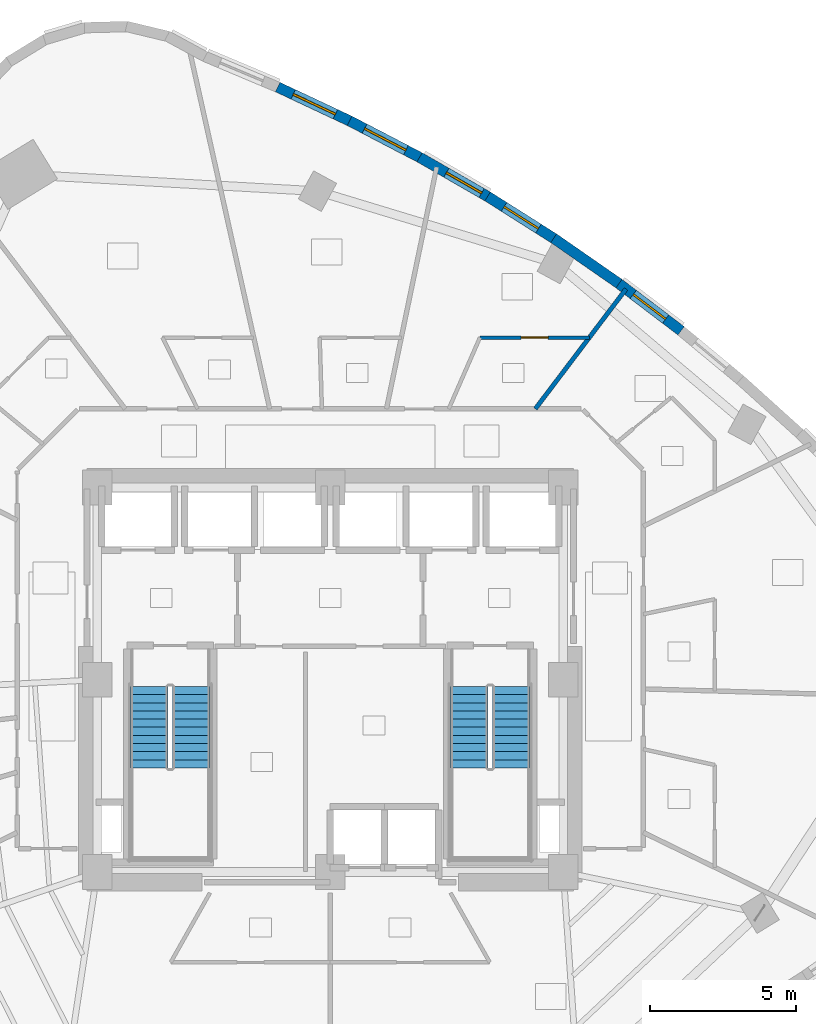
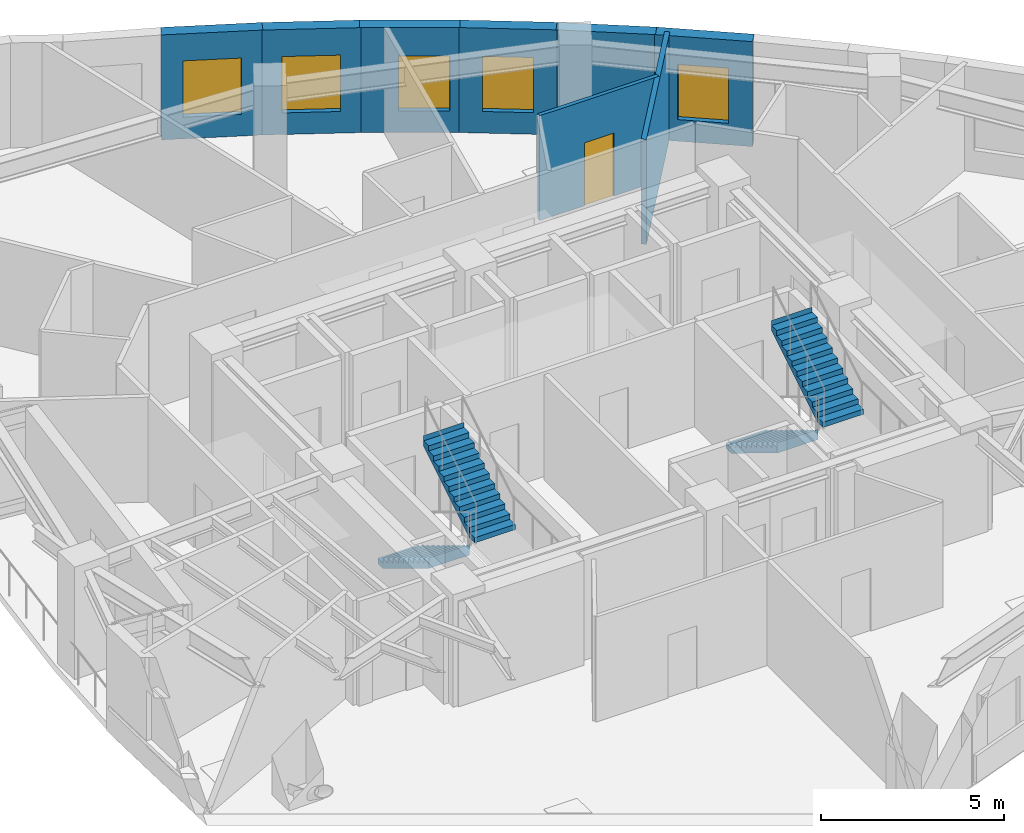
# One storey, part 9 of 12: 8 walls, 5 windows, 4 stair flights, 1 door, 6 openings, 2 elements without a shape of their own.
"""IFC4 building model written with IfcOpenShell, lengths in metres."""

import ifcopenshell
import ifcopenshell.guid

model = None  # the IFC model being written
_history = None  # IfcOwnerHistory: only IFC2X3 demands one
_inside = {}  # id of a spatial element -> (the spatial element, [elements in it])
_under = {}  # id of a project, library or spatial element -> (it, [spatial elements below it])
_declared = {}  # id of a project -> (the project, [libraries it declares])
_typed = {}  # id of a type object -> (the type object, [elements of that type])
_made_of = {}  # id of a material, layer set ... -> (it, [elements and type objects made of it])


def new_model(schema):
    """Start an empty IFC model of exactly this schema.

    Asked for "IFC4X3", IfcOpenShell would pick the latest addendum, in which some entities
    have other attributes; the version numbers below select the first issue.
    IFC2X3 requires an IfcOwnerHistory on every rooted entity: one is made here for all.
    """
    global model, _history
    if schema == "IFC4X3":
        model = ifcopenshell.file(schema_version=(4, 3, 0, 0))
    else:
        model = ifcopenshell.file(schema=schema)
    _inside.clear()
    _under.clear()
    _declared.clear()
    _typed.clear()
    _made_of.clear()
    _history = None
    if model.schema == "IFC2X3":
        org = make("IfcOrganization", Name="unknown")
        user = make(
            "IfcPersonAndOrganization",
            ThePerson=make("IfcPerson", FamilyName="unknown"),
            TheOrganization=org,
        )
        app = make(
            "IfcApplication",
            ApplicationDeveloper=org,
            Version="unknown",
            ApplicationFullName="unknown",
            ApplicationIdentifier="unknown",
        )
        _history = make(
            "IfcOwnerHistory",
            OwningUser=user,
            OwningApplication=app,
            ChangeAction="ADDED",
            CreationDate=0,
        )
    return model


def make(cls, **values):
    """One entity of the class cls with the attributes given. An attribute that is None is left unset."""
    return model.create_entity(
        cls, **{name: value for name, value in values.items() if value is not None}
    )


def rooted(cls, **values):
    """An entity with a GlobalId (a new one), such as an element, a storey or a relation."""
    return make(cls, GlobalId=ifcopenshell.guid.new(), OwnerHistory=_history, **values)


def si_unit(unit_type, name, prefix=None):
    """IfcSIUnit, for example si_unit("LENGTHUNIT", "METRE", prefix="MILLI")."""
    return make("IfcSIUnit", UnitType=unit_type, Prefix=prefix, Name=name)


def assignment(units):
    """IfcUnitAssignment: the units of a project."""
    return None if units is None else make("IfcUnitAssignment", Units=units)


def point(xyz):
    """IfcCartesianPoint."""
    return None if xyz is None else make("IfcCartesianPoint", Coordinates=xyz)


def direction(xyz):
    """IfcDirection."""
    return None if xyz is None else make("IfcDirection", DirectionRatios=xyz)


def frame(location, z_axis=None, x_axis=None):
    """IfcAxis2Placement3D, a coordinate frame: its origin and axes. An axis left out is left unset."""
    return make(
        "IfcAxis2Placement3D",
        Location=point(location),
        Axis=direction(z_axis),
        RefDirection=direction(x_axis),
    )


def frame_2d(location, x_axis=None):
    """IfcAxis2Placement2D, a coordinate frame in the plane: its origin and x axis."""
    return make(
        "IfcAxis2Placement2D", Location=point(location), RefDirection=direction(x_axis)
    )


def origin():
    """The frame at (0, 0, 0) with its axes left unset."""
    return frame((0.0, 0.0, 0.0))


def place(relative_to, where):
    """IfcLocalPlacement: puts the frame where relative to a parent placement (None: the world)."""
    return make(
        "IfcLocalPlacement", PlacementRelTo=relative_to, RelativePlacement=where
    )


def context(
    kind, dimensions, precision=None, world=None, true_north=None, identifier=None
):
    """IfcGeometricRepresentationContext, for example the 3D "Model" context."""
    return make(
        "IfcGeometricRepresentationContext",
        ContextIdentifier=identifier,
        ContextType=kind,
        CoordinateSpaceDimension=dimensions,
        Precision=precision,
        WorldCoordinateSystem=world,
        TrueNorth=true_north,
    )


def subcontext(parent, identifier, kind, view, scale=None):
    """IfcGeometricRepresentationSubContext, for example "Body" below "Model"."""
    return make(
        "IfcGeometricRepresentationSubContext",
        ContextIdentifier=identifier,
        ContextType=kind,
        ParentContext=parent,
        TargetScale=scale,
        TargetView=view,
    )


def project(units=None, contexts=None):
    """IfcProject with its units and contexts."""
    return rooted(
        "IfcProject",
        Name="project",
        RepresentationContexts=contexts,
        UnitsInContext=assignment(units),
    )


def spatial(cls, under=None, at=None, **own):
    """A site, building, storey or space (cls), placed at a placement, below another one or the project."""
    s = rooted(cls, ObjectPlacement=at, **own)
    if under is not None:
        _under.setdefault(under.id(), (under, []))[1].append(s)
    return s


def polyline(points):
    """IfcPolyline through the points."""
    return make("IfcPolyline", Points=[point(p) for p in points])


def profile(cls, at=None, kind="AREA", **sizes):
    """A parametric profile (cls). Its sizes go by their IFC names, for example OverallWidth=200.0."""
    return make(cls, ProfileType=kind, Position=at, **sizes)


def rectangle(**sizes):
    """IfcRectangleProfileDef."""
    return profile("IfcRectangleProfileDef", **sizes)


def outline(outer, holes=None, kind="AREA"):
    """IfcArbitraryClosedProfileDef: a profile drawn as a closed curve; with holes, ...WithVoids."""
    if holes is None:
        return make("IfcArbitraryClosedProfileDef", ProfileType=kind, OuterCurve=outer)
    return make(
        "IfcArbitraryProfileDefWithVoids",
        ProfileType=kind,
        OuterCurve=outer,
        InnerCurves=holes,
    )


def extrude(swept, where, along, depth):
    """IfcExtrudedAreaSolid: the profile swept, set in the frame where, extruded along a direction by depth."""
    return make(
        "IfcExtrudedAreaSolid",
        SweptArea=swept,
        Position=where,
        ExtrudedDirection=direction(along),
        Depth=depth,
    )


def shape(context_of_items, identifier, shape_type, items):
    """IfcShapeRepresentation: the items that make up one representation, for example the "Body"."""
    return make(
        "IfcShapeRepresentation",
        ContextOfItems=context_of_items,
        RepresentationIdentifier=identifier,
        RepresentationType=shape_type,
        Items=items,
    )


def material(Name=None, Category=None):
    """IfcMaterial."""
    return make("IfcMaterial", Name=Name, Category=Category)


def layer(
    of_material, thickness, ventilated=None, Name=None, Category=None, Priority=None
):
    """IfcMaterialLayer: one layer of a wall or slab, of a material (None: an air gap)."""
    return make(
        "IfcMaterialLayer",
        Material=of_material,
        LayerThickness=thickness,
        IsVentilated=ventilated,
        Name=Name,
        Category=Category,
        Priority=Priority,
    )


def layer_set(layers, Name=None):
    """IfcMaterialLayerSet."""
    return make("IfcMaterialLayerSet", MaterialLayers=layers, LayerSetName=Name)


def made_of(thing, what):
    """Note that an element or type object is made of a material, layer set ...; save() writes the relation."""
    if what is not None:
        _made_of.setdefault(what.id(), (what, []))[1].append(thing)
    return thing


def type_object(cls, material=None, **own):
    """A type object (cls), such as IfcWallType, which elements share."""
    return made_of(rooted(cls, **own), material)


def element(
    cls,
    number,
    at=None,
    inside=None,
    cuts=None,
    type_object=None,
    material=None,
    context=None,
    identifier="Body",
    shape_type=None,
    held_by="IfcProductDefinitionShape",
    body=None,
    shapes=None,
    **own,
):
    """One element of the class cls, such as IfcWall. Its Tag is "e" and its number.

    at: its placement. inside: the storey or other place that contains it. cuts: it is an
    opening in that element (IfcRelVoidsElement). A single representation is given by context,
    identifier, shape_type and body (its items); several are given by shapes. held_by: the class
    of the entity that holds the representations. save() writes the other relations.
    """
    e = rooted(cls, Tag="e%d" % number, ObjectPlacement=at, **own)
    if body is not None:
        shapes = [shape(context, identifier, shape_type, body)]
    if shapes is not None:
        e.Representation = make(held_by, Representations=shapes)
    if inside is not None:
        _inside.setdefault(inside.id(), (inside, []))[1].append(e)
    if cuts is not None:
        rooted(
            "IfcRelVoidsElement", RelatingBuildingElement=cuts, RelatedOpeningElement=e
        )
    if type_object is not None:
        _typed.setdefault(type_object.id(), (type_object, []))[1].append(e)
    return made_of(e, material)


def fill(opening, filler):
    """IfcRelFillsElement: the door or window that sits in an opening."""
    return rooted(
        "IfcRelFillsElement",
        RelatingOpeningElement=opening,
        RelatedBuildingElement=filler,
    )


def aggregate(whole, parts):
    """IfcRelAggregates: a whole, such as a stair, and the parts it consists of."""
    return rooted("IfcRelAggregates", RelatingObject=whole, RelatedObjects=parts)


def save(model, path):
    """Write the relations noted so far, then the file.

    IfcRelAggregates (storeys below a building ...), IfcRelContainedInSpatialStructure (elements
    in a storey), IfcRelDefinesByType, IfcRelAssociatesMaterial and IfcRelDeclares: one each for
    every whole, place, type object, material and project.
    """
    for whole, parts in _under.values():
        aggregate(whole, parts)
    for where, things in _inside.values():
        rooted(
            "IfcRelContainedInSpatialStructure",
            RelatedElements=things,
            RelatingStructure=where,
        )
    for kind, things in _typed.values():
        rooted("IfcRelDefinesByType", RelatedObjects=things, RelatingType=kind)
    for what, things in _made_of.values():
        rooted("IfcRelAssociatesMaterial", RelatedObjects=things, RelatingMaterial=what)
    for by, libraries in _declared.values():
        rooted("IfcRelDeclares", RelatingContext=by, RelatedDefinitions=libraries)
    model.write(path)


model = new_model("IFC4")

# Units and contexts
model_context = context("Model", 3, precision=1e-05, world=origin(), true_north=direction((0.0, 1.0)))
body_context = subcontext(model_context, "Body", "Model", "MODEL_VIEW")
ifc_project = project(units=[si_unit("LENGTHUNIT", "METRE"), si_unit("AREAUNIT", "SQUARE_METRE"), si_unit("VOLUMEUNIT", "CUBIC_METRE"), si_unit("PLANEANGLEUNIT", "RADIAN"), si_unit("MASSUNIT", "GRAM", prefix="KILO")], contexts=[model_context])

# Site, building, storey
site_placement = place(None, origin())
site = spatial("IfcSite", under=ifc_project, at=site_placement, CompositionType="ELEMENT")
building_placement = place(site_placement, origin())
building = spatial("IfcBuilding", under=site, at=building_placement, Name="Ndelora Gate Hotel", CompositionType="ELEMENT")
storey_placement = place(building_placement, frame((0.0, 0.0, 104.75)))
storey = spatial("IfcBuildingStorey", under=building, at=storey_placement, Name="L25", CompositionType="ELEMENT", Elevation=104.75)

# Wall, opening, window
ifc_material_1 = material(Name="Clay Brick Masonry", Category="masonry")
ifc_layer_1 = layer(ifc_material_1, 0.360107421875)
ifc_layer_set_1 = layer_set([ifc_layer_1], Name="Clay Brick Masonry")
wall_type_1 = type_object("IfcWallType", Name="WL-BRICK-360", PredefinedType="SOLIDWALL", material=ifc_layer_set_1)
wall_1_placement = place(storey_placement, frame((9.87255859375, 13.631103515625, 0.0), z_axis=(0.0, 0.0, 1.0), x_axis=(0.796336225349, -0.604854210696, 0.0)))
wall_1 = element("IfcWall", 1, at=wall_1_placement, inside=storey, type_object=wall_type_1, Name="L25 Tower Brick Pier-and-Spandrel Wall TWR-52", PredefinedType="SOLIDWALL", context=body_context, shape_type="SweptSolid", body=[
    extrude(rectangle(XDim=2.729736328125, YDim=0.360107421875, at=frame_2d((1.36474609375, 0.0))), origin(), (0.0, 0.0, 1.0), 3.5),
])
opening_1_placement = place(wall_1_placement, frame((0.664794921875, 0.0, 0.719970703125)))
opening_1 = element("IfcOpeningElement", 2, at=opening_1_placement, cuts=wall_1, Name="Opening W02", PredefinedType="OPENING", context=body_context, shape_type="SweptSolid", body=[
    extrude(rectangle(XDim=1.39990234375, YDim=1.840087890625, at=frame_2d((0.699951171875, 0.919921875))), frame((0.0, 0.18994140625, 0.0), z_axis=(0.0, -1.0, 0.0), x_axis=(1.0, 0.0, 0.0)), (0.0, 0.0, 1.0), 0.380126953125),
])
ifc_material_2 = material(Name="Insulated Low-E Double Glazing in Bronze Aluminium Frame", Category="aluminium")
window_type_1 = type_object("IfcWindowType", Name="WN-DEEP-1400", PartitioningType="SINGLE_PANEL", PredefinedType="WINDOW", material=ifc_material_2)
window_1_placement = place(opening_1_placement, origin())
window_1 = element("IfcWindow", 3, at=window_1_placement, inside=storey, type_object=window_type_1, Name="L25 Deep-Set Brick-Pier Window W02", OverallHeight=1.840087890625, OverallWidth=1.39990234375, PartitioningType="SINGLE_PANEL", PredefinedType="WINDOW", context=body_context, shape_type="SweptSolid", body=[
    extrude(rectangle(XDim=1.39990234375, YDim=1.840087890625, at=frame_2d((0.699951171875, 0.919921875))), frame((0.0, 0.030029296875, 0.0), z_axis=(0.0, -1.0, 0.0), x_axis=(1.0, 0.0, 0.0)), (0.0, 0.0, 1.0), 0.06005859375),
])
fill(opening_1, window_1)

# Wall
wall_2_placement = place(storey_placement, frame((7.671142578125, 15.15869140625, 0.0), z_axis=(0.0, 0.0, 1.0), x_axis=(0.821331552378, -0.570451120665, 0.0)))
element("IfcWall", 4, at=wall_2_placement, inside=storey, type_object=wall_type_1, Name="L25 Tower Brick Pier-and-Spandrel Wall TWR-53", PredefinedType="SOLIDWALL", context=body_context, shape_type="SweptSolid", body=[
    extrude(rectangle(XDim=2.729736328125, YDim=0.360107421875, at=frame_2d((1.36474609375, 0.0))), origin(), (0.0, 0.0, 1.0), 3.5),
])

# Wall, opening, window
wall_3_placement = place(storey_placement, frame((5.40283203125, 16.59423828125, 0.0), z_axis=(0.0, 0.0, 1.0), x_axis=(0.844802931873, -0.535077570357, 0.0)))
wall_3 = element("IfcWall", 5, at=wall_3_placement, inside=storey, type_object=wall_type_1, Name="L25 Tower Brick Pier-and-Spandrel Wall TWR-54", PredefinedType="SOLIDWALL", context=body_context, shape_type="SweptSolid", body=[
    extrude(rectangle(XDim=2.734375, YDim=0.360107421875, at=frame_2d((1.3671875, 0.0))), origin(), (0.0, 0.0, 1.0), 3.5),
])
opening_2_placement = place(wall_3_placement, frame((0.667236328125, 0.0, 0.719970703125)))
opening_2 = element("IfcOpeningElement", 6, at=opening_2_placement, cuts=wall_3, Name="Opening W02", PredefinedType="OPENING", context=body_context, shape_type="SweptSolid", body=[
    extrude(rectangle(XDim=1.39990234375, YDim=1.840087890625, at=frame_2d((0.699951171875, 0.919921875))), frame((0.0, 0.18994140625, 0.0), z_axis=(0.0, -1.0, 0.0), x_axis=(1.0, 0.0, 0.0)), (0.0, 0.0, 1.0), 0.380126953125),
])
window_2_placement = place(opening_2_placement, origin())
window_2 = element("IfcWindow", 7, at=window_2_placement, inside=storey, type_object=window_type_1, Name="L25 Deep-Set Brick-Pier Window W02", OverallHeight=1.840087890625, OverallWidth=1.39990234375, PartitioningType="SINGLE_PANEL", PredefinedType="WINDOW", context=body_context, shape_type="SweptSolid", body=[
    extrude(rectangle(XDim=1.39990234375, YDim=1.840087890625, at=frame_2d((0.699951171875, 0.919921875))), frame((0.0, 0.030029296875, 0.0), z_axis=(0.0, -1.0, 0.0), x_axis=(1.0, 0.0, 0.0)), (0.0, 0.0, 1.0), 0.06005859375),
])
fill(opening_2, window_2)

wall_4_placement = place(storey_placement, frame((3.067626953125, 17.937744140625, 0.0), z_axis=(0.0, 0.0, 1.0), x_axis=(0.866601472799, -0.499000889121, 0.0)))
wall_4 = element("IfcWall", 8, at=wall_4_placement, inside=storey, type_object=wall_type_1, Name="L25 Tower Brick Pier-and-Spandrel Wall TWR-55", PredefinedType="SOLIDWALL", context=body_context, shape_type="SweptSolid", body=[
    extrude(rectangle(XDim=2.744140625, YDim=0.360107421875, at=frame_2d((1.3720703125, 0.0))), origin(), (0.0, 0.0, 1.0), 3.5),
])
opening_3_placement = place(wall_4_placement, frame((1.06005859375, 0.0, 0.719970703125)))
opening_3 = element("IfcOpeningElement", 9, at=opening_3_placement, cuts=wall_4, Name="Opening W02", PredefinedType="OPENING", context=body_context, shape_type="SweptSolid", body=[
    extrude(rectangle(XDim=1.39990234375, YDim=1.840087890625, at=frame_2d((0.699951171875, 0.919921875))), frame((0.0, 0.18994140625, 0.0), z_axis=(0.0, -1.0, 0.0), x_axis=(1.0, 0.0, 0.0)), (0.0, 0.0, 1.0), 0.380126953125),
])
window_3_placement = place(opening_3_placement, origin())
window_3 = element("IfcWindow", 10, at=window_3_placement, inside=storey, type_object=window_type_1, Name="L25 Deep-Set Brick-Pier Window W02", OverallHeight=1.840087890625, OverallWidth=1.39990234375, PartitioningType="SINGLE_PANEL", PredefinedType="WINDOW", context=body_context, shape_type="SweptSolid", body=[
    extrude(rectangle(XDim=1.39990234375, YDim=1.840087890625, at=frame_2d((0.699951171875, 0.919921875))), frame((0.0, 0.030029296875, 0.0), z_axis=(0.0, -1.0, 0.0), x_axis=(1.0, 0.0, 0.0)), (0.0, 0.0, 1.0), 0.06005859375),
])
fill(opening_3, window_3)

wall_5_placement = place(storey_placement, frame((0.66552734375, 19.18896484375, 0.0), z_axis=(0.0, 0.0, 1.0), x_axis=(0.886704748188, -0.462336121822, 0.0)))
wall_5 = element("IfcWall", 11, at=wall_5_placement, inside=storey, type_object=wall_type_1, Name="L25 Tower Brick Pier-and-Spandrel Wall TWR-56", PredefinedType="SOLIDWALL", context=body_context, shape_type="SweptSolid", body=[
    extrude(rectangle(XDim=2.758544921875, YDim=0.360107421875, at=frame_2d((1.37939453125, 0.0))), origin(), (0.0, 0.0, 1.0), 3.5),
])
opening_4_placement = place(wall_5_placement, frame((0.5791015625, 0.0, 0.719970703125)))
opening_4 = element("IfcOpeningElement", 12, at=opening_4_placement, cuts=wall_5, Name="Opening W01", PredefinedType="OPENING", context=body_context, shape_type="SweptSolid", body=[
    extrude(rectangle(XDim=1.60009765625, YDim=1.8798828125, at=frame_2d((0.800048828125, 0.93994140625))), frame((0.0, 0.18994140625, 0.0), z_axis=(0.0, -1.0, 0.0), x_axis=(1.0, 0.0, 0.0)), (0.0, 0.0, 1.0), 0.380126953125),
])
window_type_2 = type_object("IfcWindowType", Name="WN-DEEP-1600", PartitioningType="SINGLE_PANEL", PredefinedType="WINDOW", material=ifc_material_2)
window_4_placement = place(opening_4_placement, origin())
window_4 = element("IfcWindow", 13, at=window_4_placement, inside=storey, type_object=window_type_2, Name="L25 Deep-Set Brick-Pier Window W01", OverallHeight=1.8798828125, OverallWidth=1.60009765625, PartitioningType="SINGLE_PANEL", PredefinedType="WINDOW", context=body_context, shape_type="SweptSolid", body=[
    extrude(rectangle(XDim=1.60009765625, YDim=1.8798828125, at=frame_2d((0.800048828125, 0.93994140625))), frame((0.0, 0.030029296875, 0.0), z_axis=(0.0, -1.0, 0.0), x_axis=(1.0, 0.0, 0.0)), (0.0, 0.0, 1.0), 0.06005859375),
])
fill(opening_4, window_4)

wall_6_placement = place(storey_placement, frame((-1.803466796875, 20.347900390625, 0.0), z_axis=(0.0, 0.0, 1.0), x_axis=(0.905061598697, -0.425280498688, 0.0)))
wall_6 = element("IfcWall", 14, at=wall_6_placement, inside=storey, type_object=wall_type_1, Name="L25 Tower Brick Pier-and-Spandrel Wall TWR-57", PredefinedType="SOLIDWALL", context=body_context, shape_type="SweptSolid", body=[
    extrude(rectangle(XDim=2.77734375, YDim=0.360107421875, at=frame_2d((1.388671875, 0.0))), origin(), (0.0, 0.0, 1.0), 3.5),
])
opening_5_placement = place(wall_6_placement, frame((0.588623046875, 0.0, 0.719970703125)))
opening_5 = element("IfcOpeningElement", 15, at=opening_5_placement, cuts=wall_6, Name="Opening W03", PredefinedType="OPENING", context=body_context, shape_type="SweptSolid", body=[
    extrude(rectangle(XDim=1.60009765625, YDim=1.8798828125, at=frame_2d((0.800048828125, 0.93994140625))), frame((0.0, 0.18994140625, 0.0), z_axis=(0.0, -1.0, 0.0), x_axis=(1.0, 0.0, 0.0)), (0.0, 0.0, 1.0), 0.380126953125),
])
window_type_3 = type_object("IfcWindowType", Name="WN-CORN-2100", PartitioningType="SINGLE_PANEL", PredefinedType="WINDOW", material=ifc_material_2)
window_5_placement = place(opening_5_placement, origin())
window_5 = element("IfcWindow", 16, at=window_5_placement, inside=storey, type_object=window_type_3, Name="L25 Deep-Set Brick-Pier Window W03", OverallHeight=1.8798828125, OverallWidth=1.60009765625, PartitioningType="SINGLE_PANEL", PredefinedType="WINDOW", context=body_context, shape_type="SweptSolid", body=[
    extrude(rectangle(XDim=1.60009765625, YDim=1.8798828125, at=frame_2d((0.800048828125, 0.93994140625))), frame((0.0, 0.030029296875, 0.0), z_axis=(0.0, -1.0, 0.0), x_axis=(1.0, 0.0, 0.0)), (0.0, 0.0, 1.0), 0.06005859375),
])
fill(opening_5, window_5)

# Wall
ifc_material_3 = material(Name="Fire-Rated Gypsum Stud Partition", Category="gypsum")
ifc_layer_2 = layer(ifc_material_3, 0.14990234375)
ifc_layer_set_2 = layer_set([ifc_layer_2], Name="Fire-Rated Gypsum Stud Partition")
wall_type_2 = type_object("IfcWallType", Name="WL-PART-150", PredefinedType="PARTITIONING", material=ifc_layer_set_2)
wall_7_placement = place(storey_placement, frame((7.040283203125, 9.300048828125, 0.0), z_axis=(0.0, 0.0, 1.0), x_axis=(0.603580834167, 0.797301810249, 0.0)))
element("IfcWall", 17, at=wall_7_placement, inside=storey, type_object=wall_type_2, Name="L25 Interior Wall IW-5", PredefinedType="PARTITIONING", context=body_context, shape_type="SweptSolid", body=[
    extrude(rectangle(XDim=5.162109375, YDim=0.14990234375, at=frame_2d((2.5810546875, 0.0))), origin(), (0.0, 0.0, 1.0), 3.5),
])

# Wall, opening, door
ifc_material_4 = material(Name="Moisture-Resistant Bathroom Tile Partition", Category="gypsum")
ifc_layer_3 = layer(ifc_material_4, 0.1201171875)
ifc_layer_set_3 = layer_set([ifc_layer_3], Name="Moisture-Resistant Bathroom Tile Partition")
wall_type_3 = type_object("IfcWallType", Name="WL-WET-120", PredefinedType="PARTITIONING", material=ifc_layer_set_3)
wall_8_placement = place(storey_placement, frame((5.139892578125, 11.75, 0.0), z_axis=(0.0, 0.0, 1.0), x_axis=(1.0, 0.0, 0.0)))
wall_8 = element("IfcWall", 18, at=wall_8_placement, inside=storey, type_object=wall_type_3, Name="L25 Interior Wall IW-7", PredefinedType="PARTITIONING", context=body_context, shape_type="SweptSolid", body=[
    extrude(rectangle(XDim=3.755126953125, YDim=0.1201171875, at=frame_2d((1.87744140625, 0.0))), origin(), (0.0, 0.0, 1.0), 3.5),
])
opening_6_placement = place(wall_8_placement, frame((1.41748046875, 0.0, 0.0)))
opening_6 = element("IfcOpeningElement", 19, at=opening_6_placement, cuts=wall_8, Name="Opening D03", PredefinedType="OPENING", context=body_context, shape_type="SweptSolid", body=[
    extrude(rectangle(XDim=0.919921875, YDim=2.10009765625, at=frame_2d((0.4599609375, 1.050048828125))), frame((0.0, 0.070068359375, 0.0), z_axis=(0.0, -1.0, 0.0), x_axis=(1.0, 0.0, 0.0)), (0.0, 0.0, 1.0), 0.14013671875),
])
ifc_material_5 = material(Name="Moisture-Resistant Hardwood En-Suite Door", Category="wood")
door_type = type_object("IfcDoorType", Name="DR-BATH-920", OperationType="SINGLE_SWING_LEFT", PredefinedType="DOOR", material=ifc_material_5)
door_placement = place(opening_6_placement, origin())
door = element("IfcDoor", 20, at=door_placement, inside=storey, type_object=door_type, Name="L25 En-suite Bathroom 2806 Door", OperationType="SINGLE_SWING_LEFT", OverallHeight=2.10009765625, OverallWidth=0.919921875, PredefinedType="DOOR", context=body_context, shape_type="SweptSolid", body=[
    extrude(rectangle(XDim=0.919921875, YDim=2.10009765625, at=frame_2d((0.4599609375, 1.050048828125))), frame((0.0, 0.02490234375, 0.0), z_axis=(0.0, -1.0, 0.0), x_axis=(1.0, 0.0, 0.0)), (0.0, 0.0, 1.0), 0.050048828125),
])
fill(opening_6, door)

# Stair, stair flights
ifc_material_6 = material(Name="Precast concrete C40/50", Category="concrete")
stair_type = type_object("IfcStairType", Name="STR-DOG-CORE", PredefinedType="HALF_TURN_STAIR", material=ifc_material_6)
stair_1_placement = place(storey_placement, origin())
stair_1 = element("IfcStair", 21, at=stair_1_placement, inside=storey, type_object=stair_type, Name="L25 Protected Core Exit Stair ST4", PredefinedType="HALF_TURN_STAIR")
stair_flight_type = type_object("IfcStairFlightType", Name="STF-PRECAST", PredefinedType="STRAIGHT", material=ifc_material_6)
stair_flight_1_placement = place(storey_placement, frame((-6.2099609375, -0.22998046875, 0.0), z_axis=(0.0, 0.0, 1.0), x_axis=(0.0, -1.0, 0.0)))
stair_flight_1 = element("IfcStairFlight", 22, at=stair_flight_1_placement, type_object=stair_flight_type, Name="ST4 flight 1", NumberOfRisers=11, NumberOfTreads=10, PredefinedType="STRAIGHT", RiserHeight=0.170454545, TreadLength=0.28, context=body_context, shape_type="SweptSolid", body=[
    extrude(outline(polyline([(-0.00048828125, 0.0), (-0.00048828125, 0.17041015625), (0.0, 0.17041015625), (0.280029296875, 0.17041015625), (0.280029296875, 0.3408203125), (0.56005859375, 0.3408203125), (0.56005859375, 0.511474609375), (0.840087890625, 0.511474609375), (0.840087890625, 0.681884765625), (1.1201171875, 0.681884765625), (1.1201171875, 0.852294921875), (1.39990234375, 0.852294921875), (1.39990234375, 1.022705078125), (1.679931640625, 1.022705078125), (1.679931640625, 1.193115234375), (1.9599609375, 1.193115234375), (1.9599609375, 1.363525390625), (2.239990234375, 1.363525390625), (2.239990234375, 1.5341796875), (2.52001953125, 1.5341796875), (2.52001953125, 1.70458984375), (2.800048828125, 1.70458984375), (2.800048828125, 1.875), (2.800537109375, 1.875), (2.800537109375, 1.695068359375), (2.800048828125, 1.529052734375), (0.288330078125, 0.0), (-0.00048828125, 0.0)])), frame((0.0, 0.64013671875, 0.0), z_axis=(0.0, -1.0, 0.0), x_axis=(1.0, 0.0, 0.0)), (0.0, 0.0, 1.0), 1.280029296875),
])
stair_flight_2_placement = place(storey_placement, frame((-4.77001953125, -3.030029296875, 1.875), z_axis=(0.0, 0.0, 1.0), x_axis=(0.0, 1.0, 0.0)))
stair_flight_2 = element("IfcStairFlight", 23, at=stair_flight_2_placement, type_object=stair_flight_type, Name="ST4 flight 2", NumberOfRisers=11, NumberOfTreads=10, PredefinedType="STRAIGHT", RiserHeight=0.170454545, TreadLength=0.28, context=body_context, shape_type="SweptSolid", body=[
    extrude(outline(polyline([(-0.00048828125, 0.0), (-0.00048828125, 0.17041015625), (0.0, 0.17041015625), (0.280029296875, 0.17041015625), (0.280029296875, 0.3408203125), (0.56005859375, 0.3408203125), (0.56005859375, 0.511474609375), (0.840087890625, 0.511474609375), (0.840087890625, 0.681884765625), (1.1201171875, 0.681884765625), (1.1201171875, 0.852294921875), (1.39990234375, 0.852294921875), (1.39990234375, 1.022705078125), (1.679931640625, 1.022705078125), (1.679931640625, 1.193115234375), (1.9599609375, 1.193115234375), (1.9599609375, 1.363525390625), (2.239990234375, 1.363525390625), (2.239990234375, 1.5341796875), (2.52001953125, 1.5341796875), (2.52001953125, 1.70458984375), (2.800048828125, 1.70458984375), (2.800048828125, 1.875), (2.800537109375, 1.875), (2.800537109375, 1.695068359375), (2.800048828125, 1.529052734375), (0.288330078125, 0.0), (-0.00048828125, 0.0)])), frame((0.0, 0.64013671875, 0.0), z_axis=(0.0, -1.0, 0.0), x_axis=(1.0, 0.0, 0.0)), (0.0, 0.0, 1.0), 1.280029296875),
])
aggregate(stair_1, [stair_flight_1, stair_flight_2])

stair_2_placement = place(storey_placement, origin())
stair_2 = element("IfcStair", 24, at=stair_2_placement, inside=storey, type_object=stair_type, Name="L25 Protected Core Exit Stair ST5", PredefinedType="HALF_TURN_STAIR")
stair_flight_3_placement = place(storey_placement, frame((4.77001953125, -0.22998046875, 0.0), z_axis=(0.0, 0.0, 1.0), x_axis=(0.0, -1.0, 0.0)))
stair_flight_3 = element("IfcStairFlight", 25, at=stair_flight_3_placement, type_object=stair_flight_type, Name="ST5 flight 1", NumberOfRisers=11, NumberOfTreads=10, PredefinedType="STRAIGHT", RiserHeight=0.170454545, TreadLength=0.28, context=body_context, shape_type="SweptSolid", body=[
    extrude(outline(polyline([(-0.00048828125, 0.0), (-0.00048828125, 0.17041015625), (0.0, 0.17041015625), (0.280029296875, 0.17041015625), (0.280029296875, 0.3408203125), (0.56005859375, 0.3408203125), (0.56005859375, 0.511474609375), (0.840087890625, 0.511474609375), (0.840087890625, 0.681884765625), (1.1201171875, 0.681884765625), (1.1201171875, 0.852294921875), (1.39990234375, 0.852294921875), (1.39990234375, 1.022705078125), (1.679931640625, 1.022705078125), (1.679931640625, 1.193115234375), (1.9599609375, 1.193115234375), (1.9599609375, 1.363525390625), (2.239990234375, 1.363525390625), (2.239990234375, 1.5341796875), (2.52001953125, 1.5341796875), (2.52001953125, 1.70458984375), (2.800048828125, 1.70458984375), (2.800048828125, 1.875), (2.800537109375, 1.875), (2.800537109375, 1.695068359375), (2.800048828125, 1.529052734375), (0.288330078125, 0.0), (-0.00048828125, 0.0)])), frame((0.0, 0.64013671875, 0.0), z_axis=(0.0, -1.0, 0.0), x_axis=(1.0, 0.0, 0.0)), (0.0, 0.0, 1.0), 1.280029296875),
])
stair_flight_4_placement = place(storey_placement, frame((6.2099609375, -3.030029296875, 1.875), z_axis=(0.0, 0.0, 1.0), x_axis=(0.0, 1.0, 0.0)))
stair_flight_4 = element("IfcStairFlight", 26, at=stair_flight_4_placement, type_object=stair_flight_type, Name="ST5 flight 2", NumberOfRisers=11, NumberOfTreads=10, PredefinedType="STRAIGHT", RiserHeight=0.170454545, TreadLength=0.28, context=body_context, shape_type="SweptSolid", body=[
    extrude(outline(polyline([(-0.00048828125, 0.0), (-0.00048828125, 0.17041015625), (0.0, 0.17041015625), (0.280029296875, 0.17041015625), (0.280029296875, 0.3408203125), (0.56005859375, 0.3408203125), (0.56005859375, 0.511474609375), (0.840087890625, 0.511474609375), (0.840087890625, 0.681884765625), (1.1201171875, 0.681884765625), (1.1201171875, 0.852294921875), (1.39990234375, 0.852294921875), (1.39990234375, 1.022705078125), (1.679931640625, 1.022705078125), (1.679931640625, 1.193115234375), (1.9599609375, 1.193115234375), (1.9599609375, 1.363525390625), (2.239990234375, 1.363525390625), (2.239990234375, 1.5341796875), (2.52001953125, 1.5341796875), (2.52001953125, 1.70458984375), (2.800048828125, 1.70458984375), (2.800048828125, 1.875), (2.800537109375, 1.875), (2.800537109375, 1.695068359375), (2.800048828125, 1.529052734375), (0.288330078125, 0.0), (-0.00048828125, 0.0)])), frame((0.0, 0.64013671875, 0.0), z_axis=(0.0, -1.0, 0.0), x_axis=(1.0, 0.0, 0.0)), (0.0, 0.0, 1.0), 1.280029296875),
])
aggregate(stair_2, [stair_flight_3, stair_flight_4])

save(model, "model.ifc")
